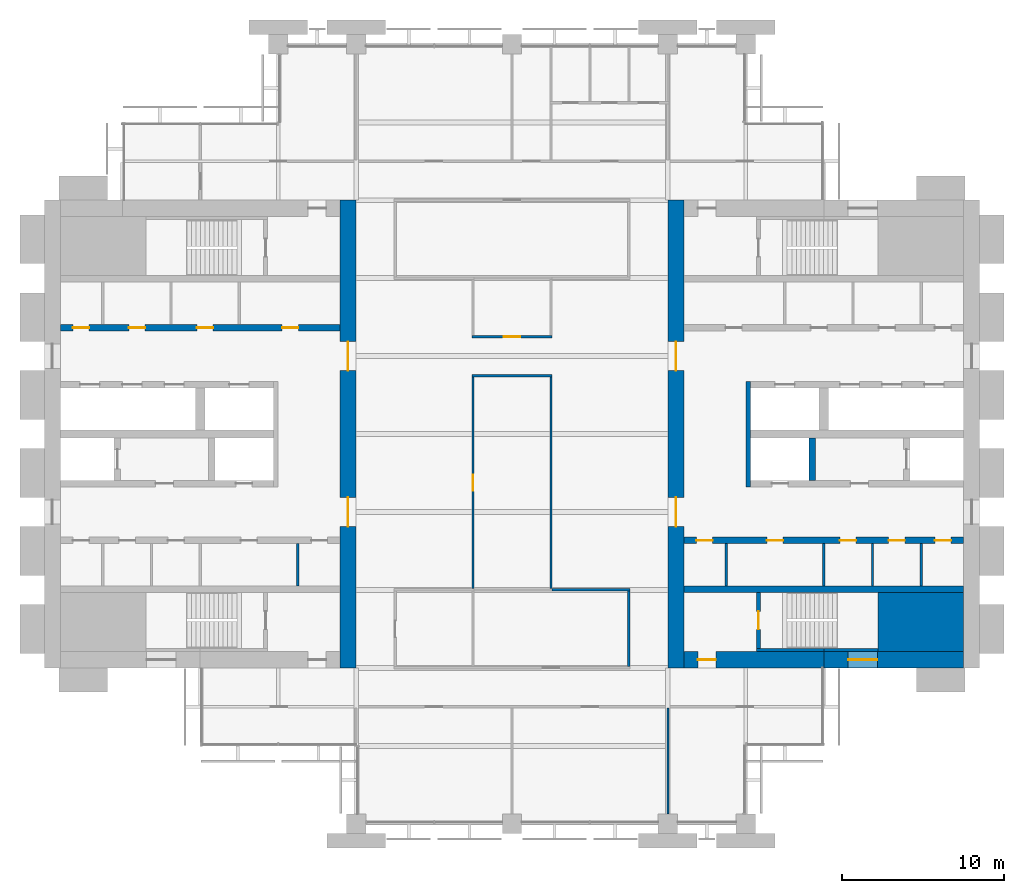
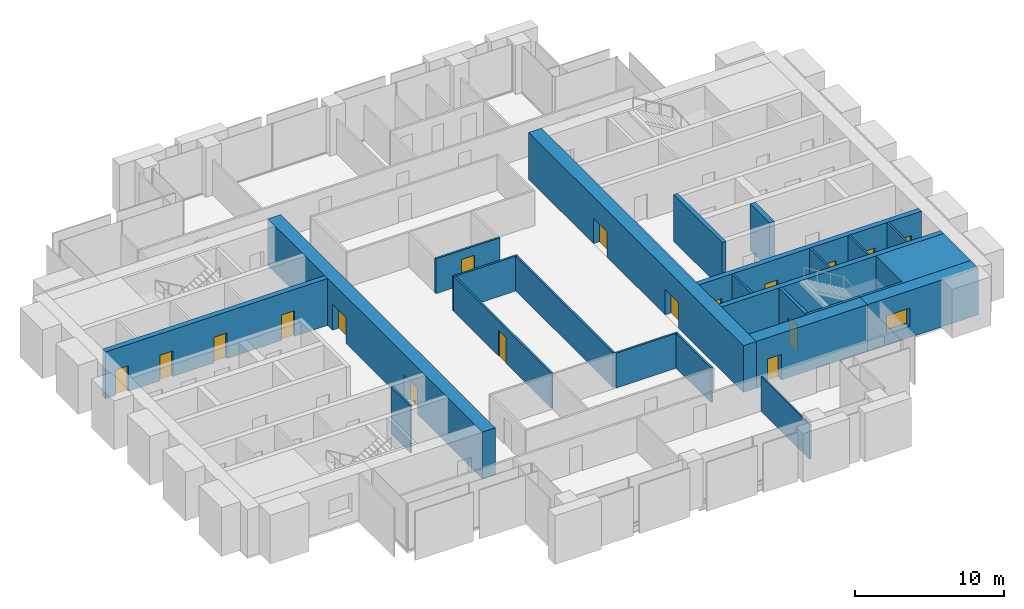
# One storey, part 10 of 14: 25 walls, 17 doors, 1 window, 18 openings.
"""IFC4 building model written with IfcOpenShell, lengths in metres."""

import ifcopenshell
import ifcopenshell.guid

model = None  # the IFC model being written
_history = None  # IfcOwnerHistory: only IFC2X3 demands one
_inside = {}  # id of a spatial element -> (the spatial element, [elements in it])
_under = {}  # id of a project, library or spatial element -> (it, [spatial elements below it])
_declared = {}  # id of a project -> (the project, [libraries it declares])
_typed = {}  # id of a type object -> (the type object, [elements of that type])
_made_of = {}  # id of a material, layer set ... -> (it, [elements and type objects made of it])


def new_model(schema):
    """Start an empty IFC model of exactly this schema.

    Asked for "IFC4X3", IfcOpenShell would pick the latest addendum, in which some entities
    have other attributes; the version numbers below select the first issue.
    IFC2X3 requires an IfcOwnerHistory on every rooted entity: one is made here for all.
    """
    global model, _history
    if schema == "IFC4X3":
        model = ifcopenshell.file(schema_version=(4, 3, 0, 0))
    else:
        model = ifcopenshell.file(schema=schema)
    _inside.clear()
    _under.clear()
    _declared.clear()
    _typed.clear()
    _made_of.clear()
    _history = None
    if model.schema == "IFC2X3":
        org = make("IfcOrganization", Name="unknown")
        user = make(
            "IfcPersonAndOrganization",
            ThePerson=make("IfcPerson", FamilyName="unknown"),
            TheOrganization=org,
        )
        app = make(
            "IfcApplication",
            ApplicationDeveloper=org,
            Version="unknown",
            ApplicationFullName="unknown",
            ApplicationIdentifier="unknown",
        )
        _history = make(
            "IfcOwnerHistory",
            OwningUser=user,
            OwningApplication=app,
            ChangeAction="ADDED",
            CreationDate=0,
        )
    return model


def make(cls, **values):
    """One entity of the class cls with the attributes given. An attribute that is None is left unset."""
    return model.create_entity(
        cls, **{name: value for name, value in values.items() if value is not None}
    )


def rooted(cls, **values):
    """An entity with a GlobalId (a new one), such as an element, a storey or a relation."""
    return make(cls, GlobalId=ifcopenshell.guid.new(), OwnerHistory=_history, **values)


def si_unit(unit_type, name, prefix=None):
    """IfcSIUnit, for example si_unit("LENGTHUNIT", "METRE", prefix="MILLI")."""
    return make("IfcSIUnit", UnitType=unit_type, Prefix=prefix, Name=name)


def assignment(units):
    """IfcUnitAssignment: the units of a project."""
    return None if units is None else make("IfcUnitAssignment", Units=units)


def point(xyz):
    """IfcCartesianPoint."""
    return None if xyz is None else make("IfcCartesianPoint", Coordinates=xyz)


def direction(xyz):
    """IfcDirection."""
    return None if xyz is None else make("IfcDirection", DirectionRatios=xyz)


def frame(location, z_axis=None, x_axis=None):
    """IfcAxis2Placement3D, a coordinate frame: its origin and axes. An axis left out is left unset."""
    return make(
        "IfcAxis2Placement3D",
        Location=point(location),
        Axis=direction(z_axis),
        RefDirection=direction(x_axis),
    )


def frame_2d(location, x_axis=None):
    """IfcAxis2Placement2D, a coordinate frame in the plane: its origin and x axis."""
    return make(
        "IfcAxis2Placement2D", Location=point(location), RefDirection=direction(x_axis)
    )


def origin():
    """The frame at (0, 0, 0) with its axes left unset."""
    return frame((0.0, 0.0, 0.0))


def place(relative_to, where):
    """IfcLocalPlacement: puts the frame where relative to a parent placement (None: the world)."""
    return make(
        "IfcLocalPlacement", PlacementRelTo=relative_to, RelativePlacement=where
    )


def context(
    kind, dimensions, precision=None, world=None, true_north=None, identifier=None
):
    """IfcGeometricRepresentationContext, for example the 3D "Model" context."""
    return make(
        "IfcGeometricRepresentationContext",
        ContextIdentifier=identifier,
        ContextType=kind,
        CoordinateSpaceDimension=dimensions,
        Precision=precision,
        WorldCoordinateSystem=world,
        TrueNorth=true_north,
    )


def subcontext(parent, identifier, kind, view, scale=None):
    """IfcGeometricRepresentationSubContext, for example "Body" below "Model"."""
    return make(
        "IfcGeometricRepresentationSubContext",
        ContextIdentifier=identifier,
        ContextType=kind,
        ParentContext=parent,
        TargetScale=scale,
        TargetView=view,
    )


def project(units=None, contexts=None):
    """IfcProject with its units and contexts."""
    return rooted(
        "IfcProject",
        Name="project",
        RepresentationContexts=contexts,
        UnitsInContext=assignment(units),
    )


def spatial(cls, under=None, at=None, **own):
    """A site, building, storey or space (cls), placed at a placement, below another one or the project."""
    s = rooted(cls, ObjectPlacement=at, **own)
    if under is not None:
        _under.setdefault(under.id(), (under, []))[1].append(s)
    return s


def profile(cls, at=None, kind="AREA", **sizes):
    """A parametric profile (cls). Its sizes go by their IFC names, for example OverallWidth=200.0."""
    return make(cls, ProfileType=kind, Position=at, **sizes)


def rectangle(**sizes):
    """IfcRectangleProfileDef."""
    return profile("IfcRectangleProfileDef", **sizes)


def extrude(swept, where, along, depth):
    """IfcExtrudedAreaSolid: the profile swept, set in the frame where, extruded along a direction by depth."""
    return make(
        "IfcExtrudedAreaSolid",
        SweptArea=swept,
        Position=where,
        ExtrudedDirection=direction(along),
        Depth=depth,
    )


def shape(context_of_items, identifier, shape_type, items):
    """IfcShapeRepresentation: the items that make up one representation, for example the "Body"."""
    return make(
        "IfcShapeRepresentation",
        ContextOfItems=context_of_items,
        RepresentationIdentifier=identifier,
        RepresentationType=shape_type,
        Items=items,
    )


def material(Name=None, Category=None):
    """IfcMaterial."""
    return make("IfcMaterial", Name=Name, Category=Category)


def layer(
    of_material, thickness, ventilated=None, Name=None, Category=None, Priority=None
):
    """IfcMaterialLayer: one layer of a wall or slab, of a material (None: an air gap)."""
    return make(
        "IfcMaterialLayer",
        Material=of_material,
        LayerThickness=thickness,
        IsVentilated=ventilated,
        Name=Name,
        Category=Category,
        Priority=Priority,
    )


def layer_set(layers, Name=None):
    """IfcMaterialLayerSet."""
    return make("IfcMaterialLayerSet", MaterialLayers=layers, LayerSetName=Name)


def made_of(thing, what):
    """Note that an element or type object is made of a material, layer set ...; save() writes the relation."""
    if what is not None:
        _made_of.setdefault(what.id(), (what, []))[1].append(thing)
    return thing


def type_object(cls, material=None, **own):
    """A type object (cls), such as IfcWallType, which elements share."""
    return made_of(rooted(cls, **own), material)


def element(
    cls,
    number,
    at=None,
    inside=None,
    cuts=None,
    type_object=None,
    material=None,
    context=None,
    identifier="Body",
    shape_type=None,
    held_by="IfcProductDefinitionShape",
    body=None,
    shapes=None,
    **own,
):
    """One element of the class cls, such as IfcWall. Its Tag is "e" and its number.

    at: its placement. inside: the storey or other place that contains it. cuts: it is an
    opening in that element (IfcRelVoidsElement). A single representation is given by context,
    identifier, shape_type and body (its items); several are given by shapes. held_by: the class
    of the entity that holds the representations. save() writes the other relations.
    """
    e = rooted(cls, Tag="e%d" % number, ObjectPlacement=at, **own)
    if body is not None:
        shapes = [shape(context, identifier, shape_type, body)]
    if shapes is not None:
        e.Representation = make(held_by, Representations=shapes)
    if inside is not None:
        _inside.setdefault(inside.id(), (inside, []))[1].append(e)
    if cuts is not None:
        rooted(
            "IfcRelVoidsElement", RelatingBuildingElement=cuts, RelatedOpeningElement=e
        )
    if type_object is not None:
        _typed.setdefault(type_object.id(), (type_object, []))[1].append(e)
    return made_of(e, material)


def fill(opening, filler):
    """IfcRelFillsElement: the door or window that sits in an opening."""
    return rooted(
        "IfcRelFillsElement",
        RelatingOpeningElement=opening,
        RelatedBuildingElement=filler,
    )


def aggregate(whole, parts):
    """IfcRelAggregates: a whole, such as a stair, and the parts it consists of."""
    return rooted("IfcRelAggregates", RelatingObject=whole, RelatedObjects=parts)


def save(model, path):
    """Write the relations noted so far, then the file.

    IfcRelAggregates (storeys below a building ...), IfcRelContainedInSpatialStructure (elements
    in a storey), IfcRelDefinesByType, IfcRelAssociatesMaterial and IfcRelDeclares: one each for
    every whole, place, type object, material and project.
    """
    for whole, parts in _under.values():
        aggregate(whole, parts)
    for where, things in _inside.values():
        rooted(
            "IfcRelContainedInSpatialStructure",
            RelatedElements=things,
            RelatingStructure=where,
        )
    for kind, things in _typed.values():
        rooted("IfcRelDefinesByType", RelatedObjects=things, RelatingType=kind)
    for what, things in _made_of.values():
        rooted("IfcRelAssociatesMaterial", RelatedObjects=things, RelatingMaterial=what)
    for by, libraries in _declared.values():
        rooted("IfcRelDeclares", RelatingContext=by, RelatedDefinitions=libraries)
    model.write(path)


model = new_model("IFC4")

# Units and contexts
model_context = context("Model", 3, precision=1e-05, world=origin(), true_north=direction((0.0, 1.0)))
body_context = subcontext(model_context, "Body", "Model", "MODEL_VIEW")
ifc_project = project(units=[si_unit("LENGTHUNIT", "METRE"), si_unit("AREAUNIT", "SQUARE_METRE"), si_unit("VOLUMEUNIT", "CUBIC_METRE"), si_unit("PLANEANGLEUNIT", "RADIAN"), si_unit("MASSUNIT", "GRAM", prefix="KILO")], contexts=[model_context])

# Site, building, storey
site_placement = place(None, origin())
site = spatial("IfcSite", under=ifc_project, at=site_placement, CompositionType="ELEMENT")
building_placement = place(site_placement, origin())
building = spatial("IfcBuilding", under=site, at=building_placement, Name="Baori Bourse Tower", CompositionType="ELEMENT")
storey_placement = place(building_placement, frame((0.0, 0.0, 160.10009765625)))
storey = spatial("IfcBuildingStorey", under=building, at=storey_placement, Name="L35", CompositionType="ELEMENT", Elevation=160.10009765625)

# Walls
ifc_material_1 = material(Name="Concrete f'c 60 MPa", Category="concrete")
wall_type_1 = type_object("IfcWallType", Name="Core corner block f'c 60", PredefinedType="SHEAR", material=ifc_material_1)
wall_1_placement = place(storey_placement, frame((51.35009765625, 12.425048828125, 0.0), z_axis=(0.0, 0.0, 1.0), x_axis=(1.0, 0.0, 0.0)))
element("IfcWall", 1, at=wall_1_placement, inside=storey, type_object=wall_type_1, Name="Core wall E05", PredefinedType="SHEAR", context=body_context, shape_type="SweptSolid", body=[
    extrude(rectangle(XDim=5.25, YDim=3.64990234375, at=frame_2d((2.625, 0.0))), origin(), (0.0, 0.0, 1.0), 3.83984375),
])
ifc_material_2 = material(Name="Blockwork partition", Category="masonry")
ifc_layer_1 = layer(ifc_material_2, 0.14990234375)
ifc_layer_set_1 = layer_set([ifc_layer_1], Name="Core partition 150")
wall_type_2 = type_object("IfcWallType", Name="Core partition 150", PredefinedType="PARTITIONING", material=ifc_layer_set_1)
for number, where, z_axis, x_axis, name in (
    (2, (15.60009765625, 14.64990234375, 0.0), (0.0, 0.0, 1.0), (0.0, 1.0, 0.0), "Partition wall W13"),
    (3, (54.0, 14.64990234375, 0.0), (0.0, 0.0, 1.0), (0.0, 1.0, 0.0), "Partition wall E10"),
    (4, (51.0, 14.64990234375, 0.0), (0.0, 0.0, 1.0), (0.0, 1.0, 0.0), "Partition wall E11"),
    (5, (48.0, 14.64990234375, 0.0), (0.0, 0.0, 1.0), (0.0, 1.0, 0.0), "Partition wall E12"),
    (6, (42.0, 14.64990234375, 0.0), (0.0, 0.0, 1.0), (0.0, 1.0, 0.0), "Partition wall E13"),
):
    element("IfcWall", number, at=place(storey_placement, frame(where, z_axis=z_axis, x_axis=x_axis)), inside=storey, type_object=wall_type_2, Name=name, PredefinedType="PARTITIONING", context=body_context, shape_type="SweptSolid", body=[
        extrude(rectangle(XDim=2.60009765625, YDim=0.14990234375, at=frame_2d((1.300048828125, 0.0))), origin(), (0.0, 0.0, 1.0), 3.83984375),
    ])

# Wall, openings, doors
ifc_material_3 = material(Name="Concrete f'c 60 MPa", Category="concrete")
ifc_layer_2 = layer(ifc_material_3, 1.0)
ifc_layer_set_2 = layer_set([ifc_layer_2], Name="Core wall 1000 f'c 60")
wall_type_3 = type_object("IfcWallType", Name="Core wall 1000 f'c 60", PredefinedType="SHEAR", material=ifc_layer_set_2)
wall_2_placement = place(storey_placement, frame((18.699951171875, 38.39990234375, 0.0), z_axis=(0.0, 0.0, 1.0), x_axis=(0.0, -1.0, 0.0)))
wall_2 = element("IfcWall", 7, at=wall_2_placement, inside=storey, type_object=wall_type_3, Name="Core wall W04", PredefinedType="SHEAR", context=body_context, shape_type="SweptSolid", body=[
    extrude(rectangle(XDim=28.7998046875, YDim=1.0, at=frame_2d((14.39990234375, 0.0))), origin(), (0.0, 0.0, 1.0), 3.83984375),
])
opening_1_placement = place(wall_2_placement, frame((18.300048828125, 0.0, 0.0)))
opening_1 = element("IfcOpeningElement", 8, at=opening_1_placement, cuts=wall_2, Name="Opening L35-D107", PredefinedType="OPENING", context=body_context, shape_type="SweptSolid", body=[
    extrude(rectangle(XDim=1.800048828125, YDim=2.10009765625, at=frame_2d((0.89990234375, 1.050048828125))), frame((0.0, 0.510009765625, 0.0), z_axis=(0.0, -1.0, 0.0), x_axis=(1.0, 0.0, 0.0)), (0.0, 0.0, 1.0), 1.02001953125),
])
opening_2_placement = place(wall_2_placement, frame((8.699951171875, 0.0, 0.0)))
opening_2 = element("IfcOpeningElement", 9, at=opening_2_placement, cuts=wall_2, Name="Opening L35-D108", PredefinedType="OPENING", context=body_context, shape_type="SweptSolid", body=[
    extrude(rectangle(XDim=1.800048828125, YDim=2.10009765625, at=frame_2d((0.89990234375, 1.050048828125))), frame((0.0, 0.510009765625, 0.0), z_axis=(0.0, -1.0, 0.0), x_axis=(1.0, 0.0, 0.0)), (0.0, 0.0, 1.0), 1.02001953125),
])
ifc_material_4 = material(Name="Painted steel door", Category="steel")
door_type_1 = type_object("IfcDoorType", Name="Core lobby door 1800", OperationType="DOUBLE_DOOR_SINGLE_SWING", PredefinedType="DOOR", material=ifc_material_4)
door_1_placement = place(opening_1_placement, origin())
door_1 = element("IfcDoor", 10, at=door_1_placement, inside=storey, type_object=door_type_1, Name="Lobby door W L35", OperationType="DOUBLE_DOOR_SINGLE_SWING", OverallHeight=2.10009765625, OverallWidth=1.800048828125, PredefinedType="DOOR", context=body_context, shape_type="SweptSolid", body=[
    extrude(rectangle(XDim=1.800048828125, YDim=2.10009765625, at=frame_2d((0.89990234375, 1.050048828125))), frame((0.0, 0.02490234375, 0.0), z_axis=(0.0, -1.0, 0.0), x_axis=(1.0, 0.0, 0.0)), (0.0, 0.0, 1.0), 0.050048828125),
])
fill(opening_1, door_1)
door_2_placement = place(opening_2_placement, origin())
door_2 = element("IfcDoor", 11, at=door_2_placement, inside=storey, type_object=door_type_1, Name="Lobby door W L35", OperationType="DOUBLE_DOOR_SINGLE_SWING", OverallHeight=2.10009765625, OverallWidth=1.800048828125, PredefinedType="DOOR", context=body_context, shape_type="SweptSolid", body=[
    extrude(rectangle(XDim=1.800048828125, YDim=2.10009765625, at=frame_2d((0.89990234375, 1.050048828125))), frame((0.0, 0.02490234375, 0.0), z_axis=(0.0, -1.0, 0.0), x_axis=(1.0, 0.0, 0.0)), (0.0, 0.0, 1.0), 0.050048828125),
])
fill(opening_2, door_2)

# Wall, opening, window
wall_3_placement = place(storey_placement, frame((56.60009765625, 10.10009765625, 0.0), z_axis=(0.0, 0.0, 1.0), x_axis=(-1.0, 0.0, 0.0)))
wall_3 = element("IfcWall", 12, at=wall_3_placement, inside=storey, type_object=wall_type_3, Name="Core wall E02", PredefinedType="SHEAR", context=body_context, shape_type="SweptSolid", body=[
    extrude(rectangle(XDim=8.60009765625, YDim=1.0, at=frame_2d((4.300048828125, 0.0))), origin(), (0.0, 0.0, 1.0), 3.83984375),
])
opening_3_placement = place(wall_3_placement, frame((5.300048828125, 0.0, 0.89990234375)))
opening_3 = element("IfcOpeningElement", 13, at=opening_3_placement, cuts=wall_3, Name="Opening L35-KW203", PredefinedType="OPENING", context=body_context, shape_type="SweptSolid", body=[
    extrude(rectangle(XDim=1.800048828125, YDim=1.5, at=frame_2d((0.89990234375, 0.75))), frame((0.0, 0.510009765625, 0.0), z_axis=(0.0, -1.0, 0.0), x_axis=(1.0, 0.0, 0.0)), (0.0, 0.0, 1.0), 1.02001953125),
])
ifc_material_5 = material(Name="Pale anodised aluminium", Category="aluminium")
window_type = type_object("IfcWindowType", Name="Stair window 1800 x 1500", PartitioningType="SINGLE_PANEL", PredefinedType="WINDOW", material=ifc_material_5)
window_placement = place(opening_3_placement, origin())
window = element("IfcWindow", 14, at=window_placement, inside=storey, type_object=window_type, Name="Stair window E L35 3", OverallHeight=1.5, OverallWidth=1.800048828125, PartitioningType="SINGLE_PANEL", PredefinedType="WINDOW", context=body_context, shape_type="SweptSolid", body=[
    extrude(rectangle(XDim=1.800048828125, YDim=1.5, at=frame_2d((0.89990234375, 0.75))), frame((0.0, 0.030029296875, 0.0), z_axis=(0.0, -1.0, 0.0), x_axis=(1.0, 0.0, 0.0)), (0.0, 0.0, 1.0), 0.06005859375),
])
fill(opening_3, window)

# Wall, opening, door
wall_4_placement = place(storey_placement, frame((48.0, 10.10009765625, 0.0), z_axis=(0.0, 0.0, 1.0), x_axis=(-1.0, 0.0, 0.0)))
wall_4 = element("IfcWall", 15, at=wall_4_placement, inside=storey, type_object=wall_type_3, Name="Core wall E03", PredefinedType="SHEAR", context=body_context, shape_type="SweptSolid", body=[
    extrude(rectangle(XDim=8.60009765625, YDim=1.0, at=frame_2d((4.300048828125, 0.0))), origin(), (0.0, 0.0, 1.0), 3.83984375),
])
opening_4_placement = place(wall_4_placement, frame((6.64990234375, 0.0, 0.0)))
opening_4 = element("IfcOpeningElement", 16, at=opening_4_placement, cuts=wall_4, Name="Opening L35-D202", PredefinedType="OPENING", context=body_context, shape_type="SweptSolid", body=[
    extrude(rectangle(XDim=1.10009765625, YDim=2.10009765625, at=frame_2d((0.550048828125, 1.050048828125))), frame((0.0, 0.510009765625, 0.0), z_axis=(0.0, -1.0, 0.0), x_axis=(1.0, 0.0, 0.0)), (0.0, 0.0, 1.0), 1.02001953125),
])
ifc_material_6 = material(Name="Painted steel door", Category="steel")
door_type_2 = type_object("IfcDoorType", Name="Stair door 1100", OperationType="SINGLE_SWING_LEFT", PredefinedType="DOOR", material=ifc_material_6)
door_3_placement = place(opening_4_placement, origin())
door_3 = element("IfcDoor", 17, at=door_3_placement, inside=storey, type_object=door_type_2, Name="Stair vestibule door A E L35", OperationType="SINGLE_SWING_LEFT", OverallHeight=2.10009765625, OverallWidth=1.10009765625, PredefinedType="DOOR", context=body_context, shape_type="SweptSolid", body=[
    extrude(rectangle(XDim=1.10009765625, YDim=2.10009765625, at=frame_2d((0.550048828125, 1.050048828125))), frame((0.0, 0.02490234375, 0.0), z_axis=(0.0, -1.0, 0.0), x_axis=(1.0, 0.0, 0.0)), (0.0, 0.0, 1.0), 0.050048828125),
])
fill(opening_4, door_3)

# Wall, openings, doors
wall_5_placement = place(storey_placement, frame((38.89990234375, 9.60009765625, 0.0), z_axis=(0.0, 0.0, 1.0), x_axis=(0.0, 1.0, 0.0)))
wall_5 = element("IfcWall", 18, at=wall_5_placement, inside=storey, type_object=wall_type_3, Name="Core wall E04", PredefinedType="SHEAR", context=body_context, shape_type="SweptSolid", body=[
    extrude(rectangle(XDim=28.7998046875, YDim=1.0, at=frame_2d((14.39990234375, 0.0))), origin(), (0.0, 0.0, 1.0), 3.83984375),
])
opening_5_placement = place(wall_5_placement, frame((8.699951171875, 0.0, 0.0)))
opening_5 = element("IfcOpeningElement", 19, at=opening_5_placement, cuts=wall_5, Name="Opening L35-D207", PredefinedType="OPENING", context=body_context, shape_type="SweptSolid", body=[
    extrude(rectangle(XDim=1.800048828125, YDim=2.10009765625, at=frame_2d((0.89990234375, 1.050048828125))), frame((0.0, 0.510009765625, 0.0), z_axis=(0.0, -1.0, 0.0), x_axis=(1.0, 0.0, 0.0)), (0.0, 0.0, 1.0), 1.02001953125),
])
opening_6_placement = place(wall_5_placement, frame((18.300048828125, 0.0, 0.0)))
opening_6 = element("IfcOpeningElement", 20, at=opening_6_placement, cuts=wall_5, Name="Opening L35-D208", PredefinedType="OPENING", context=body_context, shape_type="SweptSolid", body=[
    extrude(rectangle(XDim=1.800048828125, YDim=2.10009765625, at=frame_2d((0.89990234375, 1.050048828125))), frame((0.0, 0.510009765625, 0.0), z_axis=(0.0, -1.0, 0.0), x_axis=(1.0, 0.0, 0.0)), (0.0, 0.0, 1.0), 1.02001953125),
])
door_4_placement = place(opening_5_placement, origin())
door_4 = element("IfcDoor", 21, at=door_4_placement, inside=storey, type_object=door_type_1, Name="Lobby door E L35", OperationType="DOUBLE_DOOR_SINGLE_SWING", OverallHeight=2.10009765625, OverallWidth=1.800048828125, PredefinedType="DOOR", context=body_context, shape_type="SweptSolid", body=[
    extrude(rectangle(XDim=1.800048828125, YDim=2.10009765625, at=frame_2d((0.89990234375, 1.050048828125))), frame((0.0, 0.02490234375, 0.0), z_axis=(0.0, -1.0, 0.0), x_axis=(1.0, 0.0, 0.0)), (0.0, 0.0, 1.0), 0.050048828125),
])
fill(opening_5, door_4)
door_5_placement = place(opening_6_placement, origin())
door_5 = element("IfcDoor", 22, at=door_5_placement, inside=storey, type_object=door_type_1, Name="Lobby door E L35", OperationType="DOUBLE_DOOR_SINGLE_SWING", OverallHeight=2.10009765625, OverallWidth=1.800048828125, PredefinedType="DOOR", context=body_context, shape_type="SweptSolid", body=[
    extrude(rectangle(XDim=1.800048828125, YDim=2.10009765625, at=frame_2d((0.89990234375, 1.050048828125))), frame((0.0, 0.02490234375, 0.0), z_axis=(0.0, -1.0, 0.0), x_axis=(1.0, 0.0, 0.0)), (0.0, 0.0, 1.0), 0.050048828125),
])
fill(opening_6, door_5)

# Walls
ifc_material_7 = material(Name="Gypsum board partition")
ifc_layer_3 = layer(ifc_material_7, 0.14990234375)
ifc_layer_set_3 = layer_set([ifc_layer_3], Name="Corridor partition 150")
wall_type_4 = type_object("IfcWallType", Name="Corridor partition 150", PredefinedType="PARTITIONING", material=ifc_layer_set_3)
wall_6_placement = place(storey_placement, frame((31.27490234375, 14.39990234375, 0.0), z_axis=(0.0, 0.0, 1.0), x_axis=(1.0, 0.0, 0.0)))
element("IfcWall", 23, at=wall_6_placement, inside=storey, type_object=wall_type_4, Name="Partition", PredefinedType="PARTITIONING", context=body_context, shape_type="SweptSolid", body=[
    extrude(rectangle(XDim=4.800048828125, YDim=0.14990234375, at=frame_2d((2.39990234375, 0.0))), origin(), (0.0, 0.0, 1.0), 2.849365234375),
])
wall_7_placement = place(storey_placement, frame((26.324951171875, 27.60009765625, 0.0), z_axis=(0.0, 0.0, 1.0), x_axis=(1.0, 0.0, 0.0)))
element("IfcWall", 24, at=wall_7_placement, inside=storey, type_object=wall_type_4, Name="Partition", PredefinedType="PARTITIONING", context=body_context, shape_type="SweptSolid", body=[
    extrude(rectangle(XDim=4.949951171875, YDim=0.14990234375, at=frame_2d((2.47509765625, 0.0))), origin(), (0.0, 0.0, 1.0), 2.849365234375),
])

# Wall, opening, door
wall_8_placement = place(storey_placement, frame((26.324951171875, 30.0, 0.0), z_axis=(0.0, 0.0, 1.0), x_axis=(1.0, 0.0, 0.0)))
wall_8 = element("IfcWall", 25, at=wall_8_placement, inside=storey, type_object=wall_type_4, Name="Partition", PredefinedType="PARTITIONING", context=body_context, shape_type="SweptSolid", body=[
    extrude(rectangle(XDim=4.949951171875, YDim=0.14990234375, at=frame_2d((2.47509765625, 0.0))), origin(), (0.0, 0.0, 1.0), 2.849365234375),
])
opening_7_placement = place(wall_8_placement, frame((1.97509765625, 0.0, 0.0)))
opening_7 = element("IfcOpeningElement", 26, at=opening_7_placement, cuts=wall_8, Name="Opening L35-D06", PredefinedType="OPENING", context=body_context, shape_type="SweptSolid", body=[
    extrude(rectangle(XDim=1.0, YDim=2.10009765625, at=frame_2d((0.5, 1.050048828125))), frame((0.0, 0.0849609375, 0.0), z_axis=(0.0, -1.0, 0.0), x_axis=(1.0, 0.0, 0.0)), (0.0, 0.0, 1.0), 0.169921875),
])
ifc_material_8 = material(Name="Timber door leaf", Category="wood")
door_type_3 = type_object("IfcDoorType", Name="Door 1000 x 2100", OperationType="SINGLE_SWING_LEFT", PredefinedType="DOOR", material=ifc_material_8)
door_6_placement = place(opening_7_placement, origin())
door_6 = element("IfcDoor", 27, at=door_6_placement, inside=storey, type_object=door_type_3, Name="Door", OperationType="SINGLE_SWING_LEFT", OverallHeight=2.10009765625, OverallWidth=1.0, PredefinedType="DOOR", context=body_context, shape_type="SweptSolid", body=[
    extrude(rectangle(XDim=1.0, YDim=2.10009765625, at=frame_2d((0.5, 1.050048828125))), frame((0.0, 0.02490234375, 0.0), z_axis=(0.0, -1.0, 0.0), x_axis=(1.0, 0.0, 0.0)), (0.0, 0.0, 1.0), 0.050048828125),
])
fill(opening_7, door_6)

wall_9_placement = place(storey_placement, frame((26.39990234375, 14.47509765625, 0.0), z_axis=(0.0, 0.0, 1.0), x_axis=(0.0, 1.0, 0.0)))
wall_9 = element("IfcWall", 28, at=wall_9_placement, inside=storey, type_object=wall_type_4, Name="Partition", PredefinedType="PARTITIONING", context=body_context, shape_type="SweptSolid", body=[
    extrude(rectangle(XDim=13.0498046875, YDim=0.14990234375, at=frame_2d((6.52490234375, 0.0))), origin(), (0.0, 0.0, 1.0), 2.849365234375),
])
opening_8_placement = place(wall_9_placement, frame((6.02490234375, 0.0, 0.0)))
opening_8 = element("IfcOpeningElement", 29, at=opening_8_placement, cuts=wall_9, Name="Opening L35-D18", PredefinedType="OPENING", context=body_context, shape_type="SweptSolid", body=[
    extrude(rectangle(XDim=1.0, YDim=2.10009765625, at=frame_2d((0.5, 1.050048828125))), frame((0.0, 0.0849609375, 0.0), z_axis=(0.0, -1.0, 0.0), x_axis=(1.0, 0.0, 0.0)), (0.0, 0.0, 1.0), 0.169921875),
])
door_7_placement = place(opening_8_placement, origin())
door_7 = element("IfcDoor", 30, at=door_7_placement, inside=storey, type_object=door_type_3, Name="Door", OperationType="SINGLE_SWING_RIGHT", OverallHeight=2.10009765625, OverallWidth=1.0, PredefinedType="DOOR", context=body_context, shape_type="SweptSolid", body=[
    extrude(rectangle(XDim=1.0, YDim=2.10009765625, at=frame_2d((0.5, 1.050048828125))), frame((0.0, 0.02490234375, 0.0), z_axis=(0.0, -1.0, 0.0), x_axis=(1.0, 0.0, 0.0)), (0.0, 0.0, 1.0), 0.050048828125),
])
fill(opening_8, door_7)

# Walls
wall_10_placement = place(storey_placement, frame((31.199951171875, 14.47509765625, 0.0), z_axis=(0.0, 0.0, 1.0), x_axis=(0.0, 1.0, 0.0)))
element("IfcWall", 31, at=wall_10_placement, inside=storey, type_object=wall_type_4, Name="Partition", PredefinedType="PARTITIONING", context=body_context, shape_type="SweptSolid", body=[
    extrude(rectangle(XDim=13.0498046875, YDim=0.14990234375, at=frame_2d((6.52490234375, 0.0))), origin(), (0.0, 0.0, 1.0), 2.849365234375),
])
wall_11_placement = place(storey_placement, frame((36.0, 9.675048828125, 0.0), z_axis=(0.0, 0.0, 1.0), x_axis=(0.0, 1.0, 0.0)))
element("IfcWall", 32, at=wall_11_placement, inside=storey, type_object=wall_type_4, Name="Partition", PredefinedType="PARTITIONING", context=body_context, shape_type="SweptSolid", body=[
    extrude(rectangle(XDim=4.64990234375, YDim=0.14990234375, at=frame_2d((2.324951171875, 0.0))), origin(), (0.0, 0.0, 1.0), 2.849365234375),
])
ifc_material_9 = material(Name="Gypsum board partition")
ifc_layer_4 = layer(ifc_material_9, 0.125)
ifc_layer_set_4 = layer_set([ifc_layer_4], Name="Partition 125")
wall_type_5 = type_object("IfcWallType", Name="Partition 125", PredefinedType="PARTITIONING", material=ifc_layer_set_4)
wall_12_placement = place(storey_placement, frame((38.39990234375, 0.60009765625, 0.0), z_axis=(0.0, 0.0, 1.0), x_axis=(0.0, 1.0, 0.0)))
element("IfcWall", 33, at=wall_12_placement, inside=storey, type_object=wall_type_5, Name="Partition", PredefinedType="PARTITIONING", context=body_context, shape_type="SweptSolid", body=[
    extrude(rectangle(XDim=6.52490234375, YDim=0.125, at=frame_2d((3.262451171875, 0.0))), origin(), (0.0, 0.0, 1.0), 2.849365234375),
])
ifc_material_10 = material(Name="Concrete f'c 60 MPa", Category="concrete")
ifc_layer_5 = layer(ifc_material_10, 0.199951171875)
ifc_layer_set_5 = layer_set([ifc_layer_5], Name="Shaft wall 200 f'c 60")
wall_type_6 = type_object("IfcWallType", Name="Shaft wall 200 f'c 60", PredefinedType="SHEAR", material=ifc_layer_set_5)
wall_13_placement = place(storey_placement, frame((48.0, 10.699951171875, 0.0), z_axis=(0.0, 0.0, 1.0), x_axis=(1.0, 0.0, 0.0)))
element("IfcWall", 34, at=wall_13_placement, inside=storey, type_object=wall_type_6, Name="Core wall E06", PredefinedType="SHEAR", context=body_context, shape_type="SweptSolid", body=[
    extrude(rectangle(XDim=3.35009765625, YDim=0.199951171875, at=frame_2d((1.675048828125, 0.0))), origin(), (0.0, 0.0, 1.0), 3.83984375),
])
wall_14_placement = place(storey_placement, frame((43.85009765625, 10.699951171875, 0.0), z_axis=(0.0, 0.0, 1.0), x_axis=(1.0, 0.0, 0.0)))
element("IfcWall", 35, at=wall_14_placement, inside=storey, type_object=wall_type_6, Name="Core wall E07", PredefinedType="SHEAR", context=body_context, shape_type="SweptSolid", body=[
    extrude(rectangle(XDim=4.14990234375, YDim=0.199951171875, at=frame_2d((2.074951171875, 0.0))), origin(), (0.0, 0.0, 1.0), 3.83984375),
])

# Wall, opening, door
ifc_material_11 = material(Name="Concrete f'c 60 MPa", Category="concrete")
ifc_layer_6 = layer(ifc_material_11, 0.25)
ifc_layer_set_6 = layer_set([ifc_layer_6], Name="Shaft wall 250 f'c 60")
wall_type_7 = type_object("IfcWallType", Name="Shaft wall 250 f'c 60", PredefinedType="SHEAR", material=ifc_layer_set_6)
wall_15_placement = place(storey_placement, frame((43.97509765625, 10.800048828125, 0.0), z_axis=(0.0, 0.0, 1.0), x_axis=(0.0, 1.0, 0.0)))
wall_15 = element("IfcWall", 36, at=wall_15_placement, inside=storey, type_object=wall_type_7, Name="Core wall E08", PredefinedType="SHEAR", context=body_context, shape_type="SweptSolid", body=[
    extrude(rectangle(XDim=3.449951171875, YDim=0.25, at=frame_2d((1.72509765625, 0.0))), origin(), (0.0, 0.0, 1.0), 3.83984375),
])
opening_9_placement = place(wall_15_placement, frame((1.175048828125, 0.0, 0.0)))
opening_9 = element("IfcOpeningElement", 37, at=opening_9_placement, cuts=wall_15, Name="Opening L35-D201", PredefinedType="OPENING", context=body_context, shape_type="SweptSolid", body=[
    extrude(rectangle(XDim=1.10009765625, YDim=2.10009765625, at=frame_2d((0.550048828125, 1.050048828125))), frame((0.0, 0.135009765625, 0.0), z_axis=(0.0, -1.0, 0.0), x_axis=(1.0, 0.0, 0.0)), (0.0, 0.0, 1.0), 0.27001953125),
])
door_8_placement = place(opening_9_placement, origin())
door_8 = element("IfcDoor", 38, at=door_8_placement, inside=storey, type_object=door_type_2, Name="Stair door A E L35", OperationType="SINGLE_SWING_LEFT", OverallHeight=2.10009765625, OverallWidth=1.10009765625, PredefinedType="DOOR", context=body_context, shape_type="SweptSolid", body=[
    extrude(rectangle(XDim=1.10009765625, YDim=2.10009765625, at=frame_2d((0.550048828125, 1.050048828125))), frame((0.0, 0.02490234375, 0.0), z_axis=(0.0, -1.0, 0.0), x_axis=(1.0, 0.0, 0.0)), (0.0, 0.0, 1.0), 0.050048828125),
])
fill(opening_9, door_8)

# Wall
ifc_material_12 = material(Name="Concrete f'c 60 MPa", Category="concrete")
ifc_layer_7 = layer(ifc_material_12, 0.300048828125)
ifc_layer_set_7 = layer_set([ifc_layer_7], Name="Shaft wall 300 f'c 60")
wall_type_8 = type_object("IfcWallType", Name="Shaft wall 300 f'c 60", PredefinedType="SHEAR", material=ifc_layer_set_7)
wall_16_placement = place(storey_placement, frame((43.35009765625, 20.75, 0.0), z_axis=(0.0, 0.0, 1.0), x_axis=(0.0, 1.0, 0.0)))
element("IfcWall", 39, at=wall_16_placement, inside=storey, type_object=wall_type_8, Name="Core wall E16", PredefinedType="SHEAR", context=body_context, shape_type="SweptSolid", body=[
    extrude(rectangle(XDim=6.5, YDim=0.300048828125, at=frame_2d((3.25, 0.0))), origin(), (0.0, 0.0, 1.0), 3.83984375),
])

# Wall, openings, doors
ifc_material_13 = material(Name="Concrete f'c 60 MPa", Category="concrete")
ifc_layer_8 = layer(ifc_material_13, 0.39990234375)
ifc_layer_set_8 = layer_set([ifc_layer_8], Name="Shaft wall 400 f'c 60")
wall_type_9 = type_object("IfcWallType", Name="Shaft wall 400 f'c 60", PredefinedType="SHEAR", material=ifc_layer_set_8)
wall_17_placement = place(storey_placement, frame((1.0, 30.550048828125, 0.0), z_axis=(0.0, 0.0, 1.0), x_axis=(1.0, 0.0, 0.0)))
wall_17 = element("IfcWall", 40, at=wall_17_placement, inside=storey, type_object=wall_type_9, Name="Core wall W22", PredefinedType="SHEAR", context=body_context, shape_type="SweptSolid", body=[
    extrude(rectangle(XDim=17.199951171875, YDim=0.39990234375, at=frame_2d((8.60009765625, 0.0))), origin(), (0.0, 0.0, 1.0), 3.83984375),
])
opening_10_placement = place(wall_17_placement, frame((0.762451171875, 0.0, 0.0)))
opening_10 = element("IfcOpeningElement", 41, at=opening_10_placement, cuts=wall_17, Name="Opening L35-D109", PredefinedType="OPENING", context=body_context, shape_type="SweptSolid", body=[
    extrude(rectangle(XDim=1.0, YDim=2.10009765625, at=frame_2d((0.5, 1.050048828125))), frame((0.0, 0.2099609375, 0.0), z_axis=(0.0, -1.0, 0.0), x_axis=(1.0, 0.0, 0.0)), (0.0, 0.0, 1.0), 0.419921875),
])
opening_11_placement = place(wall_17_placement, frame((4.199951171875, 0.0, 0.0)))
opening_11 = element("IfcOpeningElement", 42, at=opening_11_placement, cuts=wall_17, Name="Opening L35-D110", PredefinedType="OPENING", context=body_context, shape_type="SweptSolid", body=[
    extrude(rectangle(XDim=1.0, YDim=2.10009765625, at=frame_2d((0.5, 1.050048828125))), frame((0.0, 0.2099609375, 0.0), z_axis=(0.0, -1.0, 0.0), x_axis=(1.0, 0.0, 0.0)), (0.0, 0.0, 1.0), 0.419921875),
])
opening_12_placement = place(wall_17_placement, frame((8.39990234375, 0.0, 0.0)))
opening_12 = element("IfcOpeningElement", 43, at=opening_12_placement, cuts=wall_17, Name="Opening L35-D111", PredefinedType="OPENING", context=body_context, shape_type="SweptSolid", body=[
    extrude(rectangle(XDim=1.0, YDim=2.10009765625, at=frame_2d((0.5, 1.050048828125))), frame((0.0, 0.2099609375, 0.0), z_axis=(0.0, -1.0, 0.0), x_axis=(1.0, 0.0, 0.0)), (0.0, 0.0, 1.0), 0.419921875),
])
opening_13_placement = place(wall_17_placement, frame((13.637451171875, 0.0, 0.0)))
opening_13 = element("IfcOpeningElement", 44, at=opening_13_placement, cuts=wall_17, Name="Opening L35-D112", PredefinedType="OPENING", context=body_context, shape_type="SweptSolid", body=[
    extrude(rectangle(XDim=1.0, YDim=2.10009765625, at=frame_2d((0.5, 1.050048828125))), frame((0.0, 0.2099609375, 0.0), z_axis=(0.0, -1.0, 0.0), x_axis=(1.0, 0.0, 0.0)), (0.0, 0.0, 1.0), 0.419921875),
])
ifc_material_14 = material(Name="Painted steel door", Category="steel")
door_type_4 = type_object("IfcDoorType", Name="Core door 1000", OperationType="SINGLE_SWING_LEFT", PredefinedType="DOOR", material=ifc_material_14)
door_9_placement = place(opening_11_placement, origin())
door_9 = element("IfcDoor", 45, at=door_9_placement, inside=storey, type_object=door_type_4, Name="Women'S Wc door W L35", OperationType="SINGLE_SWING_LEFT", OverallHeight=2.10009765625, OverallWidth=1.0, PredefinedType="DOOR", context=body_context, shape_type="SweptSolid", body=[
    extrude(rectangle(XDim=1.0, YDim=2.10009765625, at=frame_2d((0.5, 1.050048828125))), frame((0.0, 0.02490234375, 0.0), z_axis=(0.0, -1.0, 0.0), x_axis=(1.0, 0.0, 0.0)), (0.0, 0.0, 1.0), 0.050048828125),
])
fill(opening_11, door_9)
door_10_placement = place(opening_12_placement, origin())
door_10 = element("IfcDoor", 46, at=door_10_placement, inside=storey, type_object=door_type_4, Name="Accessible Wc door W L35", OperationType="SINGLE_SWING_LEFT", OverallHeight=2.10009765625, OverallWidth=1.0, PredefinedType="DOOR", context=body_context, shape_type="SweptSolid", body=[
    extrude(rectangle(XDim=1.0, YDim=2.10009765625, at=frame_2d((0.5, 1.050048828125))), frame((0.0, 0.02490234375, 0.0), z_axis=(0.0, -1.0, 0.0), x_axis=(1.0, 0.0, 0.0)), (0.0, 0.0, 1.0), 0.050048828125),
])
fill(opening_12, door_10)
door_11_placement = place(opening_13_placement, origin())
door_11 = element("IfcDoor", 47, at=door_11_placement, inside=storey, type_object=door_type_4, Name="Men'S Wc door W L35", OperationType="SINGLE_SWING_LEFT", OverallHeight=2.10009765625, OverallWidth=1.0, PredefinedType="DOOR", context=body_context, shape_type="SweptSolid", body=[
    extrude(rectangle(XDim=1.0, YDim=2.10009765625, at=frame_2d((0.5, 1.050048828125))), frame((0.0, 0.02490234375, 0.0), z_axis=(0.0, -1.0, 0.0), x_axis=(1.0, 0.0, 0.0)), (0.0, 0.0, 1.0), 0.050048828125),
])
fill(opening_13, door_11)
ifc_material_15 = material(Name="Painted steel door", Category="steel")
door_type_5 = type_object("IfcDoorType", Name="Plant room door 1000", OperationType="SINGLE_SWING_LEFT", PredefinedType="DOOR", material=ifc_material_15)
door_12_placement = place(opening_10_placement, origin())
door_12 = element("IfcDoor", 48, at=door_12_placement, inside=storey, type_object=door_type_5, Name="Communications Room door W L35", OperationType="SINGLE_SWING_LEFT", OverallHeight=2.10009765625, OverallWidth=1.0, PredefinedType="DOOR", context=body_context, shape_type="SweptSolid", body=[
    extrude(rectangle(XDim=1.0, YDim=2.10009765625, at=frame_2d((0.5, 1.050048828125))), frame((0.0, 0.02490234375, 0.0), z_axis=(0.0, -1.0, 0.0), x_axis=(1.0, 0.0, 0.0)), (0.0, 0.0, 1.0), 0.050048828125),
])
fill(opening_10, door_12)

# Wall
wall_18_placement = place(storey_placement, frame((39.39990234375, 14.449951171875, 0.0), z_axis=(0.0, 0.0, 1.0), x_axis=(1.0, 0.0, 0.0)))
element("IfcWall", 49, at=wall_18_placement, inside=storey, type_object=wall_type_9, Name="Core wall E09", PredefinedType="SHEAR", context=body_context, shape_type="SweptSolid", body=[
    extrude(rectangle(XDim=17.2001953125, YDim=0.39990234375, at=frame_2d((8.60009765625, 0.0))), origin(), (0.0, 0.0, 1.0), 3.83984375),
])

# Wall, openings, doors
wall_19_placement = place(storey_placement, frame((39.39990234375, 17.449951171875, 0.0), z_axis=(0.0, 0.0, 1.0), x_axis=(1.0, 0.0, 0.0)))
wall_19 = element("IfcWall", 50, at=wall_19_placement, inside=storey, type_object=wall_type_9, Name="Core wall E14", PredefinedType="SHEAR", context=body_context, shape_type="SweptSolid", body=[
    extrude(rectangle(XDim=17.2001953125, YDim=0.39990234375, at=frame_2d((8.60009765625, 0.0))), origin(), (0.0, 0.0, 1.0), 3.83984375),
])
opening_14_placement = place(wall_19_placement, frame((15.4375, 0.0, 0.0)))
opening_14 = element("IfcOpeningElement", 51, at=opening_14_placement, cuts=wall_19, Name="Opening L35-D213", PredefinedType="OPENING", context=body_context, shape_type="SweptSolid", body=[
    extrude(rectangle(XDim=1.0, YDim=2.10009765625, at=frame_2d((0.5, 1.050048828125))), frame((0.0, 0.2099609375, 0.0), z_axis=(0.0, -1.0, 0.0), x_axis=(1.0, 0.0, 0.0)), (0.0, 0.0, 1.0), 0.419921875),
])
opening_15_placement = place(wall_19_placement, frame((12.60009765625, 0.0, 0.0)))
opening_15 = element("IfcOpeningElement", 52, at=opening_15_placement, cuts=wall_19, Name="Opening L35-D214", PredefinedType="OPENING", context=body_context, shape_type="SweptSolid", body=[
    extrude(rectangle(XDim=1.0, YDim=2.10009765625, at=frame_2d((0.5, 1.050048828125))), frame((0.0, 0.2099609375, 0.0), z_axis=(0.0, -1.0, 0.0), x_axis=(1.0, 0.0, 0.0)), (0.0, 0.0, 1.0), 0.419921875),
])
opening_16_placement = place(wall_19_placement, frame((9.60009765625, 0.0, 0.0)))
opening_16 = element("IfcOpeningElement", 53, at=opening_16_placement, cuts=wall_19, Name="Opening L35-D215", PredefinedType="OPENING", context=body_context, shape_type="SweptSolid", body=[
    extrude(rectangle(XDim=1.0, YDim=2.10009765625, at=frame_2d((0.5, 1.050048828125))), frame((0.0, 0.2099609375, 0.0), z_axis=(0.0, -1.0, 0.0), x_axis=(1.0, 0.0, 0.0)), (0.0, 0.0, 1.0), 0.419921875),
])
opening_17_placement = place(wall_19_placement, frame((5.10009765625, 0.0, 0.0)))
opening_17 = element("IfcOpeningElement", 54, at=opening_17_placement, cuts=wall_19, Name="Opening L35-D216", PredefinedType="OPENING", context=body_context, shape_type="SweptSolid", body=[
    extrude(rectangle(XDim=1.0, YDim=2.10009765625, at=frame_2d((0.5, 1.050048828125))), frame((0.0, 0.2099609375, 0.0), z_axis=(0.0, -1.0, 0.0), x_axis=(1.0, 0.0, 0.0)), (0.0, 0.0, 1.0), 0.419921875),
])
opening_18_placement = place(wall_19_placement, frame((0.762451171875, 0.0, 0.0)))
opening_18 = element("IfcOpeningElement", 55, at=opening_18_placement, cuts=wall_19, Name="Opening L35-D217", PredefinedType="OPENING", context=body_context, shape_type="SweptSolid", body=[
    extrude(rectangle(XDim=1.0, YDim=2.10009765625, at=frame_2d((0.5, 1.050048828125))), frame((0.0, 0.2099609375, 0.0), z_axis=(0.0, -1.0, 0.0), x_axis=(1.0, 0.0, 0.0)), (0.0, 0.0, 1.0), 0.419921875),
])
door_13_placement = place(opening_15_placement, origin())
door_13 = element("IfcDoor", 56, at=door_13_placement, inside=storey, type_object=door_type_4, Name="Women'S Wc door E L35", OperationType="SINGLE_SWING_LEFT", OverallHeight=2.10009765625, OverallWidth=1.0, PredefinedType="DOOR", context=body_context, shape_type="SweptSolid", body=[
    extrude(rectangle(XDim=1.0, YDim=2.10009765625, at=frame_2d((0.5, 1.050048828125))), frame((0.0, 0.02490234375, 0.0), z_axis=(0.0, -1.0, 0.0), x_axis=(1.0, 0.0, 0.0)), (0.0, 0.0, 1.0), 0.050048828125),
])
fill(opening_15, door_13)
door_14_placement = place(opening_16_placement, origin())
door_14 = element("IfcDoor", 57, at=door_14_placement, inside=storey, type_object=door_type_4, Name="Accessible Wc door E L35", OperationType="SINGLE_SWING_LEFT", OverallHeight=2.10009765625, OverallWidth=1.0, PredefinedType="DOOR", context=body_context, shape_type="SweptSolid", body=[
    extrude(rectangle(XDim=1.0, YDim=2.10009765625, at=frame_2d((0.5, 1.050048828125))), frame((0.0, 0.02490234375, 0.0), z_axis=(0.0, -1.0, 0.0), x_axis=(1.0, 0.0, 0.0)), (0.0, 0.0, 1.0), 0.050048828125),
])
fill(opening_16, door_14)
door_15_placement = place(opening_17_placement, origin())
door_15 = element("IfcDoor", 58, at=door_15_placement, inside=storey, type_object=door_type_4, Name="Men'S Wc door E L35", OperationType="SINGLE_SWING_LEFT", OverallHeight=2.10009765625, OverallWidth=1.0, PredefinedType="DOOR", context=body_context, shape_type="SweptSolid", body=[
    extrude(rectangle(XDim=1.0, YDim=2.10009765625, at=frame_2d((0.5, 1.050048828125))), frame((0.0, 0.02490234375, 0.0), z_axis=(0.0, -1.0, 0.0), x_axis=(1.0, 0.0, 0.0)), (0.0, 0.0, 1.0), 0.050048828125),
])
fill(opening_17, door_15)
door_16_placement = place(opening_18_placement, origin())
door_16 = element("IfcDoor", 59, at=door_16_placement, inside=storey, type_object=door_type_4, Name="Store Room door E L35", OperationType="SINGLE_SWING_LEFT", OverallHeight=2.10009765625, OverallWidth=1.0, PredefinedType="DOOR", context=body_context, shape_type="SweptSolid", body=[
    extrude(rectangle(XDim=1.0, YDim=2.10009765625, at=frame_2d((0.5, 1.050048828125))), frame((0.0, 0.02490234375, 0.0), z_axis=(0.0, -1.0, 0.0), x_axis=(1.0, 0.0, 0.0)), (0.0, 0.0, 1.0), 0.050048828125),
])
fill(opening_18, door_16)
door_17_placement = place(opening_14_placement, origin())
door_17 = element("IfcDoor", 60, at=door_17_placement, inside=storey, type_object=door_type_5, Name="Communications Room door E L35", OperationType="SINGLE_SWING_LEFT", OverallHeight=2.10009765625, OverallWidth=1.0, PredefinedType="DOOR", context=body_context, shape_type="SweptSolid", body=[
    extrude(rectangle(XDim=1.0, YDim=2.10009765625, at=frame_2d((0.5, 1.050048828125))), frame((0.0, 0.02490234375, 0.0), z_axis=(0.0, -1.0, 0.0), x_axis=(1.0, 0.0, 0.0)), (0.0, 0.0, 1.0), 0.050048828125),
])
fill(opening_14, door_17)

# Wall
wall_20_placement = place(storey_placement, frame((47.300048828125, 21.14990234375, 0.0), z_axis=(0.0, 0.0, 1.0), x_axis=(0.0, 1.0, 0.0)))
element("IfcWall", 61, at=wall_20_placement, inside=storey, type_object=wall_type_9, Name="Core wall E18", PredefinedType="SHEAR", context=body_context, shape_type="SweptSolid", body=[
    extrude(rectangle(XDim=2.60009765625, YDim=0.39990234375, at=frame_2d((1.300048828125, 0.0))), origin(), (0.0, 0.0, 1.0), 3.83984375),
])

save(model, "model.ifc")
